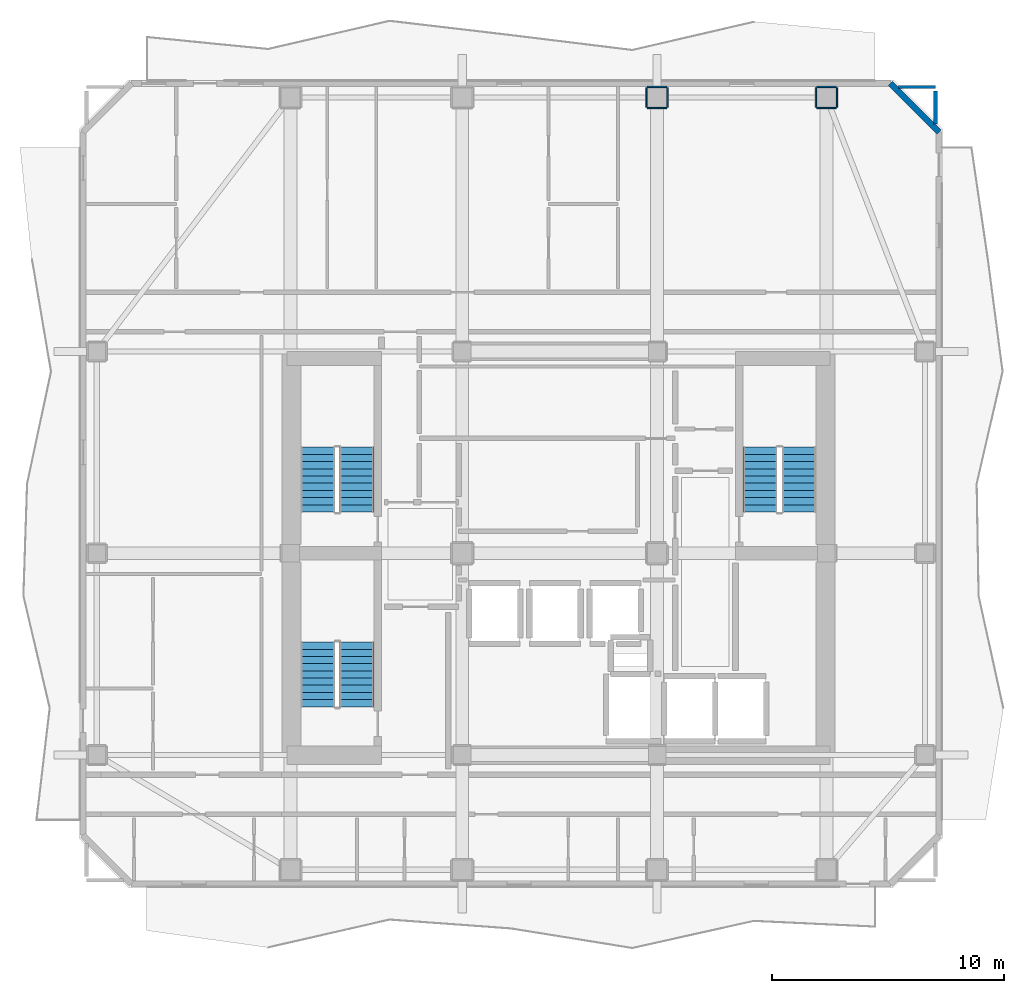
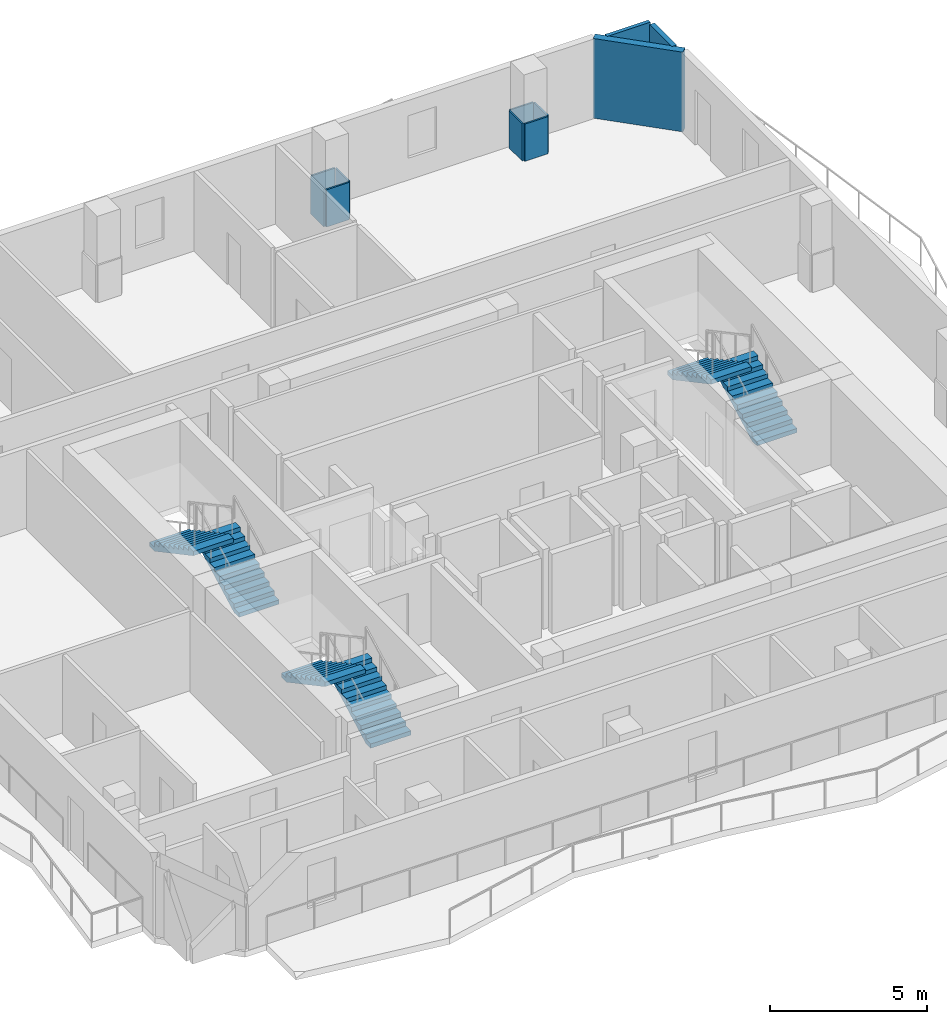
# One storey, part 6 of 10: 11 walls, 6 stair flights, 3 elements without a shape of their own.
"""IFC4 building model written with IfcOpenShell, lengths in metres."""

from ifc_helpers import new_model, si_unit, direction, frame, frame_2d, origin, place, context, subcontext, project, spatial, polyline, rectangle, outline, extrude, material, layer, layer_set, type_object, element, aggregate, save


model = new_model("IFC4")

# Units and contexts
model_context = context("Model", 3, precision=1e-05, world=origin(), true_north=direction((0.0, 1.0)))
body_context = subcontext(model_context, "Body", "Model", "MODEL_VIEW")
ifc_project = project(units=[si_unit("LENGTHUNIT", "METRE"), si_unit("AREAUNIT", "SQUARE_METRE"), si_unit("VOLUMEUNIT", "CUBIC_METRE"), si_unit("PLANEANGLEUNIT", "RADIAN"), si_unit("MASSUNIT", "GRAM", prefix="KILO")], contexts=[model_context])

# Site, building, storey
site_placement = place(None, origin())
site = spatial("IfcSite", under=ifc_project, at=site_placement, CompositionType="ELEMENT")
building_placement = place(site_placement, origin())
building = spatial("IfcBuilding", under=site, at=building_placement, Name="Solanera Arch Residences", CompositionType="ELEMENT")
storey_placement = place(building_placement, frame((0.0, 0.0, 265.56005859375)))
storey = spatial("IfcBuildingStorey", under=building, at=storey_placement, Name="L77", CompositionType="ELEMENT", Elevation=265.56005859375)

# Walls
ifc_material_1 = material(Name="Fire-Rated Gypsum Stud Partition", Category="gypsum")
ifc_layer_1 = layer(ifc_material_1, 0.06005859375)
ifc_layer_set_1 = layer_set([ifc_layer_1], Name="Fire-Rated Gypsum Stud Partition")
wall_type_1 = type_object("IfcWallType", Name="Column Acoustic Furring Wall 60", PredefinedType="PARTITIONING", material=ifc_layer_set_1)
for number, where, z_axis, x_axis, name in (
    (1, (28.77490234375, 49.89306640625, 0.0), (0.0, 0.0, 1.0), (1.0, 0.0, 0.0), "L77 Column Furring 14S"),
    (2, (28.77490234375, 50.806884765625, 0.0), (0.0, 0.0, 1.0), (1.0, 0.0, 0.0), "L77 Column Furring 14N"),
):
    element("IfcWall", number, at=place(storey_placement, frame(where, z_axis=z_axis, x_axis=x_axis)), inside=storey, type_object=wall_type_1, Name=name, PredefinedType="PARTITIONING", context=body_context, shape_type="SweptSolid", body=[
        extrude(rectangle(XDim=0.85009765625, YDim=0.06005859375, at=frame_2d((0.425048828125, 0.0))), origin(), (0.0, 0.0, 1.0), 1.449951171875),
    ])
for number, where, z_axis, x_axis, name in (
    (3, (28.742919921875, 49.925048828125, 0.0), (0.0, 0.0, 1.0), (0.0, 1.0, 0.0), "L77 Column Furring 14W"),
    (4, (29.656982421875, 49.925048828125, 0.0), (0.0, 0.0, 1.0), (0.0, 1.0, 0.0), "L77 Column Furring 14E"),
):
    element("IfcWall", number, at=place(storey_placement, frame(where, z_axis=z_axis, x_axis=x_axis)), inside=storey, type_object=wall_type_1, Name=name, PredefinedType="PARTITIONING", context=body_context, shape_type="SweptSolid", body=[
        extrude(rectangle(XDim=0.849853515625, YDim=0.06005859375, at=frame_2d((0.4248046875, 0.0))), origin(), (0.0, 0.0, 1.0), 1.449951171875),
    ])
for number, where, z_axis, x_axis, name in (
    (5, (36.074951171875, 49.89306640625, 0.0), (0.0, 0.0, 1.0), (1.0, 0.0, 0.0), "L77 Column Furring 16S"),
    (6, (36.074951171875, 50.806884765625, 0.0), (0.0, 0.0, 1.0), (1.0, 0.0, 0.0), "L77 Column Furring 16N"),
):
    element("IfcWall", number, at=place(storey_placement, frame(where, z_axis=z_axis, x_axis=x_axis)), inside=storey, type_object=wall_type_1, Name=name, PredefinedType="PARTITIONING", context=body_context, shape_type="SweptSolid", body=[
        extrude(rectangle(XDim=0.85009765625, YDim=0.06005859375, at=frame_2d((0.425048828125, 0.0))), origin(), (0.0, 0.0, 1.0), 1.449951171875),
    ])
for number, where, z_axis, x_axis, name in (
    (7, (36.04296875, 49.925048828125, 0.0), (0.0, 0.0, 1.0), (0.0, 1.0, 0.0), "L77 Column Furring 16W"),
    (8, (36.95703125, 49.925048828125, 0.0), (0.0, 0.0, 1.0), (0.0, 1.0, 0.0), "L77 Column Furring 16E"),
):
    element("IfcWall", number, at=place(storey_placement, frame(where, z_axis=z_axis, x_axis=x_axis)), inside=storey, type_object=wall_type_1, Name=name, PredefinedType="PARTITIONING", context=body_context, shape_type="SweptSolid", body=[
        extrude(rectangle(XDim=0.849853515625, YDim=0.06005859375, at=frame_2d((0.4248046875, 0.0))), origin(), (0.0, 0.0, 1.0), 1.449951171875),
    ])
ifc_material_2 = material(Name="Autoclaved Aerated Concrete Blockwork", Category="masonry")
ifc_layer_2 = layer(ifc_material_2, 0.179931640625)
ifc_layer_set_2 = layer_set([ifc_layer_2], Name="Autoclaved Aerated Concrete Blockwork")
wall_type_2 = type_object("IfcWallType", Name="Corridor Fire Partition 180", PredefinedType="PARTITIONING", material=ifc_layer_set_2)
wall_1_placement = place(storey_placement, frame((41.199951171875, 49.2109375, 0.0), z_axis=(0.0, 0.0, 1.0), x_axis=(0.0, 1.0, 0.0)))
element("IfcWall", 9, at=wall_1_placement, inside=storey, type_object=wall_type_2, Name="L77 Interior Partition V10", PredefinedType="PARTITIONING", context=body_context, shape_type="SweptSolid", body=[
    extrude(rectangle(XDim=1.421142578125, YDim=0.179931640625, at=frame_2d((0.71044921875, 0.0))), origin(), (0.0, 0.0, 1.0), 3.099853515625),
])
ifc_material_3 = material(Name="Precast Concrete C35/45", Category="concrete")
ifc_layer_3 = layer(ifc_material_3, 0.260009765625)
ifc_layer_set_3 = layer_set([ifc_layer_3], Name="Precast Concrete C35/45")
wall_type_3 = type_object("IfcWallType", Name="Exterior Wall Precast Masonry-Frame 260", PredefinedType="STANDARD", material=ifc_layer_set_3)
wall_2_placement = place(storey_placement, frame((39.2548828125, 50.955078125, 0.0), z_axis=(0.0, 0.0, 1.0), x_axis=(0.707106781187, -0.707106781187, 0.0)))
element("IfcWall", 10, at=wall_2_placement, inside=storey, type_object=wall_type_3, Name="L77 Tower Exterior Precast Masonry-Frame Wall CH3", PredefinedType="STANDARD", context=body_context, shape_type="SweptSolid", body=[
    extrude(rectangle(XDim=2.969970703125, YDim=0.260009765625, at=frame_2d((1.48486328125, 0.0))), origin(), (0.0, 0.0, 1.0), 3.099853515625),
])
ifc_material_4 = material(Name="Autoclaved Aerated Concrete Blockwork", Category="masonry")
ifc_layer_4 = layer(ifc_material_4, 0.139892578125)
ifc_layer_set_4 = layer_set([ifc_layer_4], Name="Autoclaved Aerated Concrete Blockwork")
wall_type_4 = type_object("IfcWallType", Name="Wet-Room Partition 140", PredefinedType="PARTITIONING", material=ifc_layer_set_4)
wall_3_placement = place(storey_placement, frame((39.611083984375, 50.800048828125, 0.0), z_axis=(0.0, 0.0, 1.0), x_axis=(1.0, 0.0, 0.0)))
element("IfcWall", 11, at=wall_3_placement, inside=storey, type_object=wall_type_4, Name="L77 Interior Partition H18 2", PredefinedType="PARTITIONING", context=body_context, shape_type="SweptSolid", body=[
    extrude(rectangle(XDim=1.5888671875, YDim=0.139892578125, at=frame_2d((0.79443359375, 0.0))), origin(), (0.0, 0.0, 1.0), 3.099853515625),
])

# Stair, stair flights
ifc_material_5 = material(Name="Concrete C40/50 (f'c = 45 MPa)", Category="concrete")
stair_type = type_object("IfcStairType", Name="Tower Dogleg Exit Stair 1480", PredefinedType="HALF_TURN_STAIR", material=ifc_material_5)
stair_1_placement = place(storey_placement, origin())
stair_1 = element("IfcStair", 12, at=stair_1_placement, inside=storey, type_object=stair_type, Name="L77 Tower Core Exit Stair 1", PredefinedType="HALF_TURN_STAIR")
ifc_material_6 = material(Name="Concrete C40/50 (f'c = 45 MPa)", Category="concrete")
stair_flight_type = type_object("IfcStairFlightType", Name="Tower Precast Stair Flight 1480", PredefinedType="STRAIGHT", material=ifc_material_6)
stair_flight_1_placement = place(storey_placement, frame((16.260009765625, 32.47998046875, 0.0), z_axis=(0.0, 0.0, 1.0), x_axis=(0.0, 1.0, 0.0)))
stair_flight_1 = element("IfcStairFlight", 13, at=stair_flight_1_placement, type_object=stair_flight_type, Name="ST-T1 flight 1", NumberOfRisers=10, NumberOfTreads=9, PredefinedType="STRAIGHT", RiserHeight=0.166, TreadLength=0.31, context=body_context, shape_type="SweptSolid", body=[
    extrude(outline(polyline([(0.0, 0.0), (0.0, 0.166015625), (0.31005859375, 0.166015625), (0.31005859375, 0.33203125), (0.6201171875, 0.33203125), (0.6201171875, 0.498046875), (0.929931640625, 0.498046875), (0.929931640625, 0.6640625), (1.239990234375, 0.6640625), (1.239990234375, 0.830078125), (1.550048828125, 0.830078125), (1.550048828125, 0.99609375), (1.860107421875, 0.99609375), (1.860107421875, 1.162109375), (2.169921875, 1.162109375), (2.169921875, 1.327880859375), (2.47998046875, 1.327880859375), (2.47998046875, 1.493896484375), (2.7900390625, 1.493896484375), (2.7900390625, 1.659912109375), (2.7900390625, 1.323974609375), (0.317626953125, 0.0), (0.0, 0.0)])), frame((0.0, 0.739990234375, 0.0), z_axis=(0.0, -1.0, 0.0), x_axis=(1.0, 0.0, 0.0)), (0.0, 0.0, 1.0), 1.47998046875),
])
stair_flight_2_placement = place(storey_placement, frame((14.580078125, 35.27001953125, 1.659912109375), z_axis=(0.0, 0.0, 1.0), x_axis=(0.0, -1.0, 0.0)))
stair_flight_2 = element("IfcStairFlight", 14, at=stair_flight_2_placement, type_object=stair_flight_type, Name="ST-T1 flight 2", NumberOfRisers=10, NumberOfTreads=9, PredefinedType="STRAIGHT", RiserHeight=0.166, TreadLength=0.31, context=body_context, shape_type="SweptSolid", body=[
    extrude(outline(polyline([(0.0, 0.0), (0.0, 0.166015625), (0.31005859375, 0.166015625), (0.31005859375, 0.33203125), (0.6201171875, 0.33203125), (0.6201171875, 0.498046875), (0.929931640625, 0.498046875), (0.929931640625, 0.6640625), (1.239990234375, 0.6640625), (1.239990234375, 0.830078125), (1.550048828125, 0.830078125), (1.550048828125, 0.99609375), (1.860107421875, 0.99609375), (1.860107421875, 1.162109375), (2.169921875, 1.162109375), (2.169921875, 1.327880859375), (2.47998046875, 1.327880859375), (2.47998046875, 1.493896484375), (2.7900390625, 1.493896484375), (2.7900390625, 1.659912109375), (2.7900390625, 1.323974609375), (0.317626953125, 0.0), (0.0, 0.0)])), frame((0.0, 0.739990234375, 0.0), z_axis=(0.0, -1.0, 0.0), x_axis=(1.0, 0.0, 0.0)), (0.0, 0.0, 1.0), 1.47998046875),
])
aggregate(stair_1, [stair_flight_1, stair_flight_2])

stair_2_placement = place(storey_placement, origin())
stair_2 = element("IfcStair", 15, at=stair_2_placement, inside=storey, type_object=stair_type, Name="L77 Tower Core Exit Stair 2", PredefinedType="HALF_TURN_STAIR")
stair_flight_3_placement = place(storey_placement, frame((35.320068359375, 32.47998046875, 0.0), z_axis=(0.0, 0.0, 1.0), x_axis=(0.0, 1.0, 0.0)))
stair_flight_3 = element("IfcStairFlight", 16, at=stair_flight_3_placement, type_object=stair_flight_type, Name="ST-T2 flight 1", NumberOfRisers=10, NumberOfTreads=9, PredefinedType="STRAIGHT", RiserHeight=0.166, TreadLength=0.31, context=body_context, shape_type="SweptSolid", body=[
    extrude(outline(polyline([(0.0, 0.0), (0.0, 0.166015625), (0.31005859375, 0.166015625), (0.31005859375, 0.33203125), (0.6201171875, 0.33203125), (0.6201171875, 0.498046875), (0.929931640625, 0.498046875), (0.929931640625, 0.6640625), (1.239990234375, 0.6640625), (1.239990234375, 0.830078125), (1.550048828125, 0.830078125), (1.550048828125, 0.99609375), (1.860107421875, 0.99609375), (1.860107421875, 1.162109375), (2.169921875, 1.162109375), (2.169921875, 1.327880859375), (2.47998046875, 1.327880859375), (2.47998046875, 1.493896484375), (2.7900390625, 1.493896484375), (2.7900390625, 1.659912109375), (2.7900390625, 1.323974609375), (0.317626953125, 0.0), (0.0, 0.0)])), frame((0.0, 0.739990234375, 0.0), z_axis=(0.0, -1.0, 0.0), x_axis=(1.0, 0.0, 0.0)), (0.0, 0.0, 1.0), 1.47998046875),
])
stair_flight_4_placement = place(storey_placement, frame((33.639892578125, 35.27001953125, 1.659912109375), z_axis=(0.0, 0.0, 1.0), x_axis=(0.0, -1.0, 0.0)))
stair_flight_4 = element("IfcStairFlight", 17, at=stair_flight_4_placement, type_object=stair_flight_type, Name="ST-T2 flight 2", NumberOfRisers=10, NumberOfTreads=9, PredefinedType="STRAIGHT", RiserHeight=0.166, TreadLength=0.31, context=body_context, shape_type="SweptSolid", body=[
    extrude(outline(polyline([(0.0, 0.0), (0.0, 0.166015625), (0.31005859375, 0.166015625), (0.31005859375, 0.33203125), (0.6201171875, 0.33203125), (0.6201171875, 0.498046875), (0.929931640625, 0.498046875), (0.929931640625, 0.6640625), (1.239990234375, 0.6640625), (1.239990234375, 0.830078125), (1.550048828125, 0.830078125), (1.550048828125, 0.99609375), (1.860107421875, 0.99609375), (1.860107421875, 1.162109375), (2.169921875, 1.162109375), (2.169921875, 1.327880859375), (2.47998046875, 1.327880859375), (2.47998046875, 1.493896484375), (2.7900390625, 1.493896484375), (2.7900390625, 1.659912109375), (2.7900390625, 1.323974609375), (0.317626953125, 0.0), (0.0, 0.0)])), frame((0.0, 0.739990234375, 0.0), z_axis=(0.0, -1.0, 0.0), x_axis=(1.0, 0.0, 0.0)), (0.0, 0.0, 1.0), 1.47998046875),
])
aggregate(stair_2, [stair_flight_3, stair_flight_4])

stair_3_placement = place(storey_placement, origin())
stair_3 = element("IfcStair", 18, at=stair_3_placement, inside=storey, type_object=stair_type, Name="L77 Tower Core Exit Stair 3", PredefinedType="HALF_TURN_STAIR")
stair_flight_5_placement = place(storey_placement, frame((16.260009765625, 24.080078125, 0.0), z_axis=(0.0, 0.0, 1.0), x_axis=(0.0, 1.0, 0.0)))
stair_flight_5 = element("IfcStairFlight", 19, at=stair_flight_5_placement, type_object=stair_flight_type, Name="ST-T3 flight 1", NumberOfRisers=10, NumberOfTreads=9, PredefinedType="STRAIGHT", RiserHeight=0.166, TreadLength=0.31, context=body_context, shape_type="SweptSolid", body=[
    extrude(outline(polyline([(0.0, 0.0), (0.0, 0.166015625), (0.31005859375, 0.166015625), (0.31005859375, 0.33203125), (0.6201171875, 0.33203125), (0.6201171875, 0.498046875), (0.929931640625, 0.498046875), (0.929931640625, 0.6640625), (1.239990234375, 0.6640625), (1.239990234375, 0.830078125), (1.550048828125, 0.830078125), (1.550048828125, 0.99609375), (1.860107421875, 0.99609375), (1.860107421875, 1.162109375), (2.169921875, 1.162109375), (2.169921875, 1.327880859375), (2.47998046875, 1.327880859375), (2.47998046875, 1.493896484375), (2.7900390625, 1.493896484375), (2.7900390625, 1.659912109375), (2.7900390625, 1.323974609375), (0.317626953125, 0.0), (0.0, 0.0)])), frame((0.0, 0.739990234375, 0.0), z_axis=(0.0, -1.0, 0.0), x_axis=(1.0, 0.0, 0.0)), (0.0, 0.0, 1.0), 1.47998046875),
])
stair_flight_6_placement = place(storey_placement, frame((14.580078125, 26.8701171875, 1.659912109375), z_axis=(0.0, 0.0, 1.0), x_axis=(0.0, -1.0, 0.0)))
stair_flight_6 = element("IfcStairFlight", 20, at=stair_flight_6_placement, type_object=stair_flight_type, Name="ST-T3 flight 2", NumberOfRisers=10, NumberOfTreads=9, PredefinedType="STRAIGHT", RiserHeight=0.166, TreadLength=0.31, context=body_context, shape_type="SweptSolid", body=[
    extrude(outline(polyline([(0.0, 0.0), (0.0, 0.166015625), (0.31005859375, 0.166015625), (0.31005859375, 0.33203125), (0.6201171875, 0.33203125), (0.6201171875, 0.498046875), (0.929931640625, 0.498046875), (0.929931640625, 0.6640625), (1.239990234375, 0.6640625), (1.239990234375, 0.830078125), (1.550048828125, 0.830078125), (1.550048828125, 0.99609375), (1.860107421875, 0.99609375), (1.860107421875, 1.162109375), (2.169921875, 1.162109375), (2.169921875, 1.327880859375), (2.47998046875, 1.327880859375), (2.47998046875, 1.493896484375), (2.7900390625, 1.493896484375), (2.7900390625, 1.659912109375), (2.7900390625, 1.323974609375), (0.317626953125, 0.0), (0.0, 0.0)])), frame((0.0, 0.739990234375, 0.0), z_axis=(0.0, -1.0, 0.0), x_axis=(1.0, 0.0, 0.0)), (0.0, 0.0, 1.0), 1.47998046875),
])
aggregate(stair_3, [stair_flight_5, stair_flight_6])

save(model, "model.ifc")
